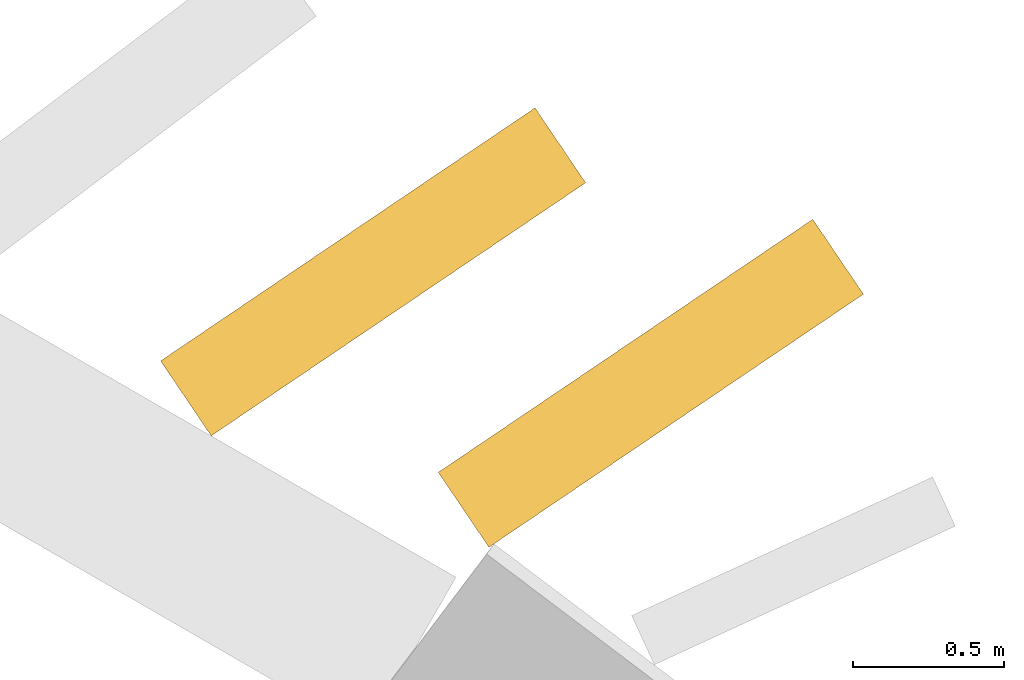
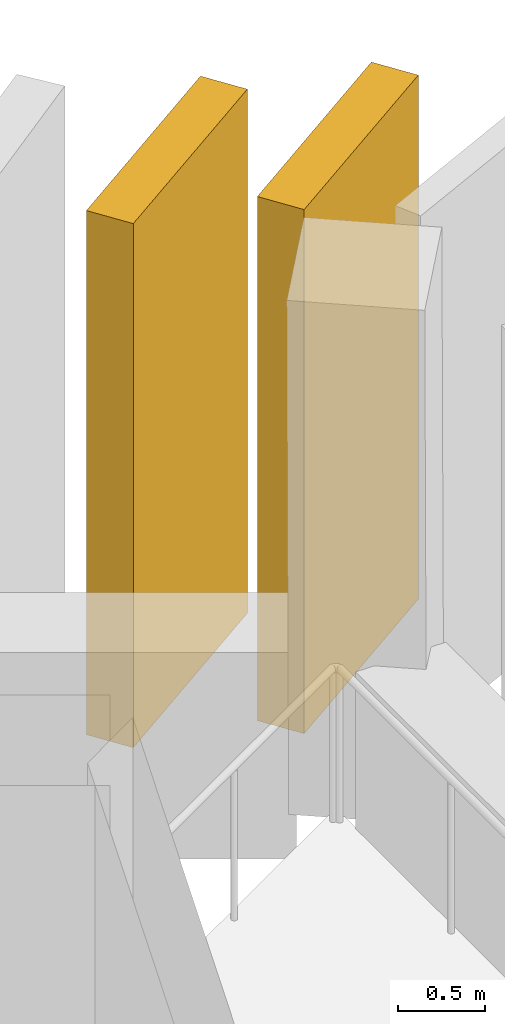
# One storey, part 10 of 10: 2 shading devices.
"""IFC4 building model written with IfcOpenShell, lengths in metres."""

from ifc_helpers import new_model, si_unit, direction, frame, frame_2d, origin, place, context, subcontext, project, spatial, rectangle, extrude, material, layer, layer_set, type_object, element, save


model = new_model("IFC4")

# Units and contexts
model_context = context("Model", 3, precision=1e-05, world=origin(), true_north=direction((0.0, 1.0)))
body_context = subcontext(model_context, "Body", "Model", "MODEL_VIEW")
ifc_project = project(units=[si_unit("LENGTHUNIT", "METRE"), si_unit("AREAUNIT", "SQUARE_METRE"), si_unit("VOLUMEUNIT", "CUBIC_METRE"), si_unit("PLANEANGLEUNIT", "RADIAN"), si_unit("MASSUNIT", "GRAM", prefix="KILO")], contexts=[model_context])

# Site, building, storey
site_placement = place(None, origin())
site = spatial("IfcSite", under=ifc_project, at=site_placement, CompositionType="ELEMENT")
building_placement = place(site_placement, origin())
building = spatial("IfcBuilding", under=site, at=building_placement, Name="Jabali Bay Hotel Tower and Convention Centre", CompositionType="ELEMENT")
storey_placement = place(building_placement, frame((0.0, 0.0, 266.39990234375)))
storey = spatial("IfcBuildingStorey", under=building, at=storey_placement, Name="L65", CompositionType="ELEMENT", Elevation=266.39990234375)

# Shading devices
ifc_material = material(Name="Precast concrete C60", Category="concrete")
ifc_layer = layer(ifc_material, 0.300048828125)
ifc_layer_set = layer_set([ifc_layer], Name="Precast concrete C60")
shading_device_type = type_object("IfcShadingDeviceType", Name="Precast fin 3680 x 1500", PredefinedType="USERDEFINED", material=ifc_layer_set)
shading_device_1_placement = place(storey_placement, frame((94.09814453125, 106.197021484375, 0.010009765625), z_axis=(0.0, 0.0, 1.0), x_axis=(0.828578765843, 0.559872511196, 0.0)))
element("IfcShadingDevice", 1, at=shading_device_1_placement, inside=storey, type_object=shading_device_type, Name="Fin L65 023", ObjectType="FIN", PredefinedType="USERDEFINED", context=body_context, shape_type="SweptSolid", body=[
    extrude(rectangle(XDim=1.5, YDim=0.300048828125, at=frame_2d((0.75, 0.0))), origin(), (0.0, 0.0, 1.0), 3.68017578125),
])
shading_device_2_placement = place(storey_placement, frame((93.176513671875, 106.566650390625, 0.010009765625), z_axis=(0.0, 0.0, 1.0), x_axis=(0.828527739218, 0.559948020218, 0.0)))
element("IfcShadingDevice", 2, at=shading_device_2_placement, inside=storey, type_object=shading_device_type, Name="Fin L65 024", ObjectType="FIN", PredefinedType="USERDEFINED", context=body_context, shape_type="SweptSolid", body=[
    extrude(rectangle(XDim=1.499755859375, YDim=0.300048828125, at=frame_2d((0.75, 0.0))), origin(), (0.0, 0.0, 1.0), 3.68017578125),
])

save(model, "model.ifc")
